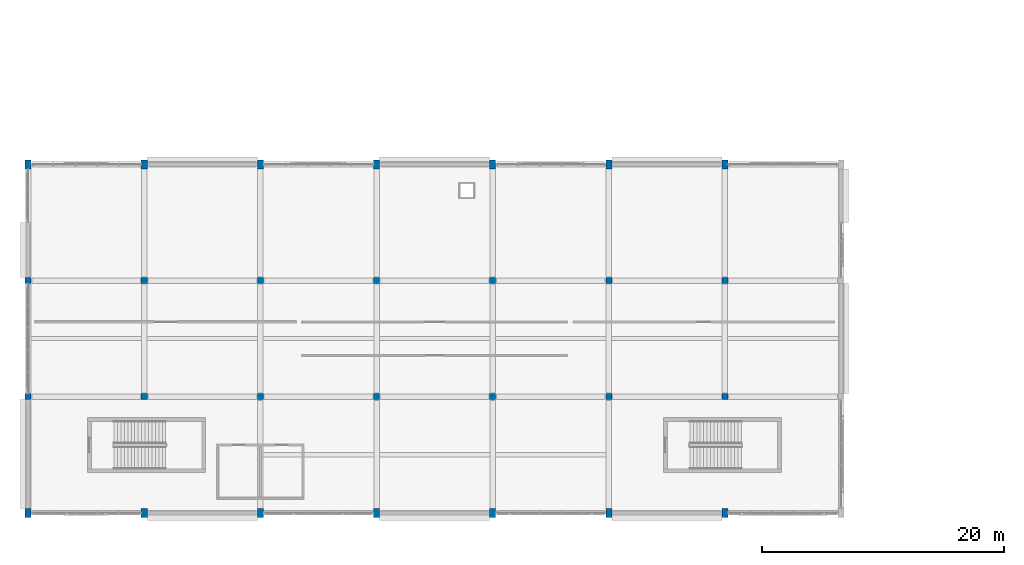
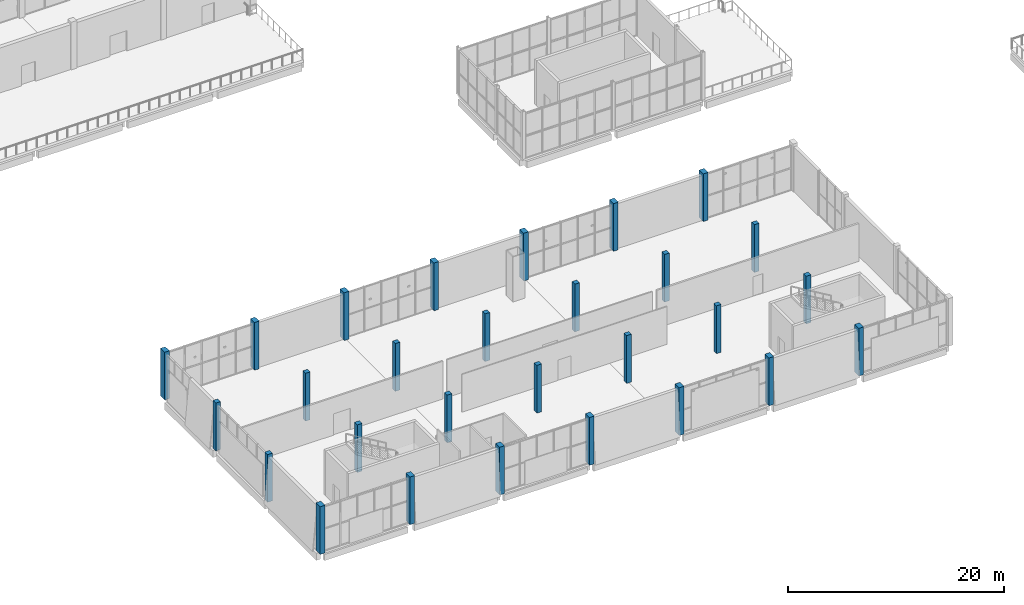
# One storey, part 1 of 83: 28 columns.
"""IFC4 building model written with IfcOpenShell, lengths in metres."""

from ifc_helpers import new_model, si_unit, direction, frame, origin, origin_2d, place, context, subcontext, project, spatial, rectangle, extrude, material, material_profile, profile_set, type_object, element, save


model = new_model("IFC4")

# Units and contexts
model_context = context("Model", 3, precision=1e-05, world=origin(), true_north=direction((0.0, 1.0)))
body_context = subcontext(model_context, "Body", "Model", "MODEL_VIEW")
ifc_project = project(units=[si_unit("LENGTHUNIT", "METRE"), si_unit("AREAUNIT", "SQUARE_METRE"), si_unit("VOLUMEUNIT", "CUBIC_METRE"), si_unit("PLANEANGLEUNIT", "RADIAN"), si_unit("MASSUNIT", "GRAM", prefix="KILO")], contexts=[model_context])

# Site, building, storey
site_placement = place(None, origin())
site = spatial("IfcSite", under=ifc_project, at=site_placement, CompositionType="ELEMENT")
building_placement = place(site_placement, origin())
building = spatial("IfcBuilding", under=site, at=building_placement, Name="Shalvenor Court Art Gallery", CompositionType="ELEMENT")
storey_placement = place(building_placement, frame((0.0, 0.0, 6.0)))
storey = spatial("IfcBuildingStorey", under=building, at=storey_placement, Name="L01", CompositionType="ELEMENT", Elevation=6.0)

# Columns
ifc_material_1 = material(Name="Concrete C40/50", Category="concrete")
ifc_material_profile_1 = material_profile(ifc_material_1, rectangle(XDim=0.5, YDim=0.5, at=origin_2d()), Name="RC 500x500")
ifc_profile_set_1 = profile_set([ifc_material_profile_1], Name="Concrete C40/50")
column_type_1 = type_object("IfcColumnType", Name="C-04", PredefinedType="COLUMN", material=ifc_profile_set_1)
for number, where, z_axis, x_axis, name in (
    (1, (9.60009765625, 9.60009765625, 0.0), (0.0, 0.0, 1.0), (1.0, 0.0, 0.0), "L01 Column COL-L01-C-04-0049"),
    (2, (9.60009765625, 19.199951171875, 0.0), (0.0, 0.0, 1.0), (1.0, 0.0, 0.0), "L01 Column COL-L01-C-04-0052"),
    (3, (19.199951171875, 9.60009765625, 0.0), (0.0, 0.0, 1.0), (1.0, 0.0, 0.0), "L01 Column COL-L01-C-04-0091"),
    (4, (19.199951171875, 19.199951171875, 0.0), (0.0, 0.0, 1.0), (1.0, 0.0, 0.0), "L01 Column COL-L01-C-04-0094"),
    (5, (28.800048828125, 9.60009765625, 0.0), (0.0, 0.0, 1.0), (1.0, 0.0, 0.0), "L01 Column COL-L01-C-04-0124"),
    (6, (28.800048828125, 19.199951171875, 0.0), (0.0, 0.0, 1.0), (1.0, 0.0, 0.0), "L01 Column COL-L01-C-04-0127"),
    (7, (38.39990234375, 9.60009765625, 0.0), (0.0, 0.0, 1.0), (1.0, 0.0, 0.0), "L01 Column COL-L01-C-04-0166"),
    (8, (38.39990234375, 19.199951171875, 0.0), (0.0, 0.0, 1.0), (1.0, 0.0, 0.0), "L01 Column COL-L01-C-04-0169"),
    (9, (48.0, 9.60009765625, 0.0), (0.0, 0.0, 1.0), (1.0, 0.0, 0.0), "L01 Column COL-L01-C-04-0200"),
    (10, (48.0, 19.199951171875, 0.0), (0.0, 0.0, 1.0), (1.0, 0.0, 0.0), "L01 Column COL-L01-C-04-0203"),
    (11, (57.60009765625, 9.60009765625, 0.0), (0.0, 0.0, 1.0), (1.0, 0.0, 0.0), "L01 Column COL-L01-C-04-0223"),
    (12, (57.60009765625, 19.199951171875, 0.0), (0.0, 0.0, 1.0), (1.0, 0.0, 0.0), "L01 Column COL-L01-C-04-0226"),
):
    element("IfcColumn", number, at=place(storey_placement, frame(where, z_axis=z_axis, x_axis=x_axis)), inside=storey, type_object=column_type_1, Name=name, PredefinedType="COLUMN", context=body_context, shape_type="SweptSolid", body=[
        extrude(rectangle(XDim=0.5, YDim=0.5, at=origin_2d()), origin(), (0.0, 0.0, 1.0), 5.39990234375),
    ])
ifc_material_2 = material(Name="Concrete C40/50", Category="concrete")
ifc_material_profile_2 = material_profile(ifc_material_2, rectangle(XDim=0.5, YDim=0.5, at=origin_2d()), Name="RC 500x500")
ifc_profile_set_2 = profile_set([ifc_material_profile_2], Name="Concrete C40/50")
column_type_2 = type_object("IfcColumnType", Name="C-04E", PredefinedType="COLUMN", material=ifc_profile_set_2)
for number, where, z_axis, x_axis, name in (
    (13, (0.0, 9.60009765625, 0.0), (0.0, 0.0, 1.0), (1.0, 0.0, 0.0), "L01 Column COL-L01-C-04E-0007"),
    (14, (0.0, 19.199951171875, 0.0), (0.0, 0.0, 1.0), (1.0, 0.0, 0.0), "L01 Column COL-L01-C-04E-0010"),
):
    element("IfcColumn", number, at=place(storey_placement, frame(where, z_axis=z_axis, x_axis=x_axis)), inside=storey, type_object=column_type_2, Name=name, PredefinedType="COLUMN", context=body_context, shape_type="SweptSolid", body=[
        extrude(rectangle(XDim=0.5, YDim=0.5, at=origin_2d()), origin(), (0.0, 0.0, 1.0), 5.39990234375),
    ])
ifc_material_3 = material(Name="Concrete C40/50", Category="concrete")
ifc_material_profile_3 = material_profile(ifc_material_3, rectangle(XDim=0.5, YDim=0.75, at=origin_2d()), Name="RC 500x750")
ifc_profile_set_3 = profile_set([ifc_material_profile_3], Name="Concrete C40/50")
column_type_3 = type_object("IfcColumnType", Name="C-06E", PredefinedType="COLUMN", material=ifc_profile_set_3)
for number, where, z_axis, x_axis, name in (
    (15, (0.0, 0.0, 0.0), (0.0, 0.0, 1.0), (1.0, 0.0, 0.0), "L01 Column COL-L01-C-06E-0003"),
    (16, (0.0, 28.800048828125, 0.0), (0.0, 0.0, 1.0), (1.0, 0.0, 0.0), "L01 Column COL-L01-C-06E-0013"),
    (17, (9.60009765625, 0.0, 0.0), (0.0, 0.0, 1.0), (1.0, 0.0, 0.0), "L01 Column COL-L01-C-06E-0045"),
    (18, (9.60009765625, 28.800048828125, 0.0), (0.0, 0.0, 1.0), (1.0, 0.0, 0.0), "L01 Column COL-L01-C-06E-0055"),
    (19, (19.199951171875, 0.0, 0.0), (0.0, 0.0, 1.0), (1.0, 0.0, 0.0), "L01 Column COL-L01-C-06E-0087"),
    (20, (19.199951171875, 28.800048828125, 0.0), (0.0, 0.0, 1.0), (1.0, 0.0, 0.0), "L01 Column COL-L01-C-06E-0097"),
    (21, (28.800048828125, 0.0, 0.0), (0.0, 0.0, 1.0), (1.0, 0.0, 0.0), "L01 Column COL-L01-C-06E-0120"),
    (22, (28.800048828125, 28.800048828125, 0.0), (0.0, 0.0, 1.0), (1.0, 0.0, 0.0), "L01 Column COL-L01-C-06E-0130"),
    (23, (38.39990234375, 0.0, 0.0), (0.0, 0.0, 1.0), (1.0, 0.0, 0.0), "L01 Column COL-L01-C-06E-0162"),
    (24, (38.39990234375, 28.800048828125, 0.0), (0.0, 0.0, 1.0), (1.0, 0.0, 0.0), "L01 Column COL-L01-C-06E-0172"),
    (25, (48.0, 0.0, 0.0), (0.0, 0.0, 1.0), (1.0, 0.0, 0.0), "L01 Column COL-L01-C-06E-0196"),
    (26, (48.0, 28.800048828125, 0.0), (0.0, 0.0, 1.0), (1.0, 0.0, 0.0), "L01 Column COL-L01-C-06E-0206"),
    (27, (57.60009765625, 0.0, 0.0), (0.0, 0.0, 1.0), (1.0, 0.0, 0.0), "L01 Column COL-L01-C-06E-0219"),
    (28, (57.60009765625, 28.800048828125, 0.0), (0.0, 0.0, 1.0), (1.0, 0.0, 0.0), "L01 Column COL-L01-C-06E-0229"),
):
    element("IfcColumn", number, at=place(storey_placement, frame(where, z_axis=z_axis, x_axis=x_axis)), inside=storey, type_object=column_type_3, Name=name, PredefinedType="COLUMN", context=body_context, shape_type="SweptSolid", body=[
        extrude(rectangle(XDim=0.5, YDim=0.75, at=origin_2d()), origin(), (0.0, 0.0, 1.0), 5.39990234375),
    ])

save(model, "model.ifc")
